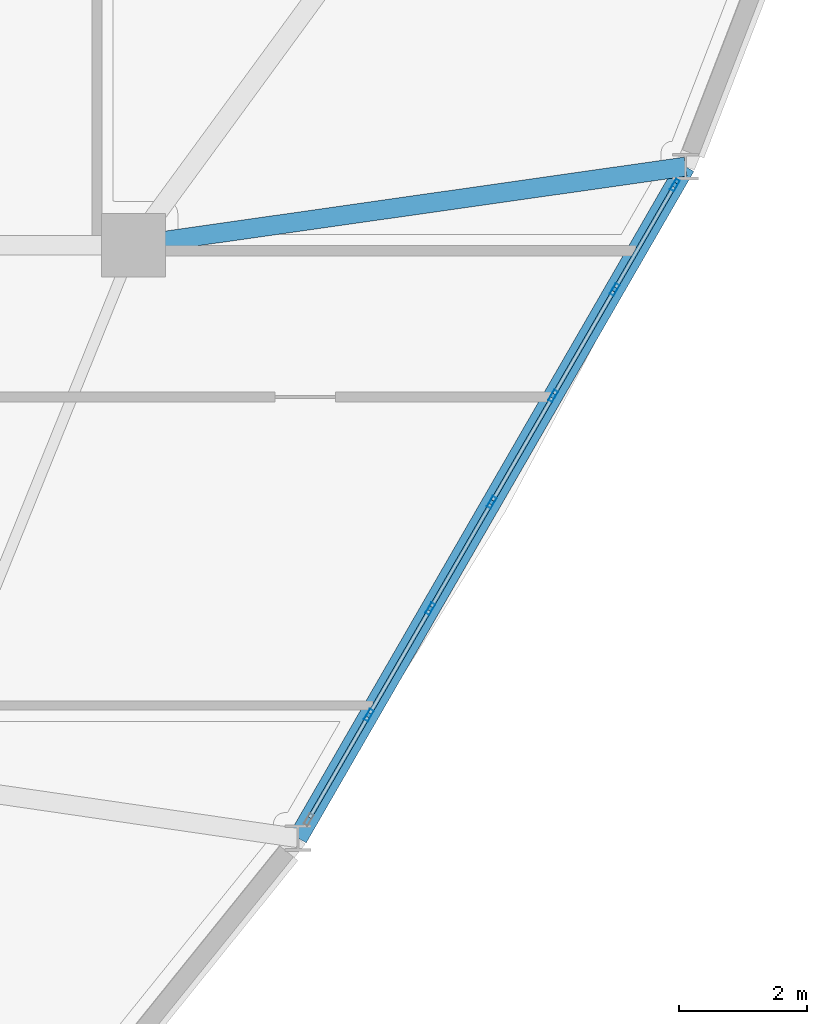
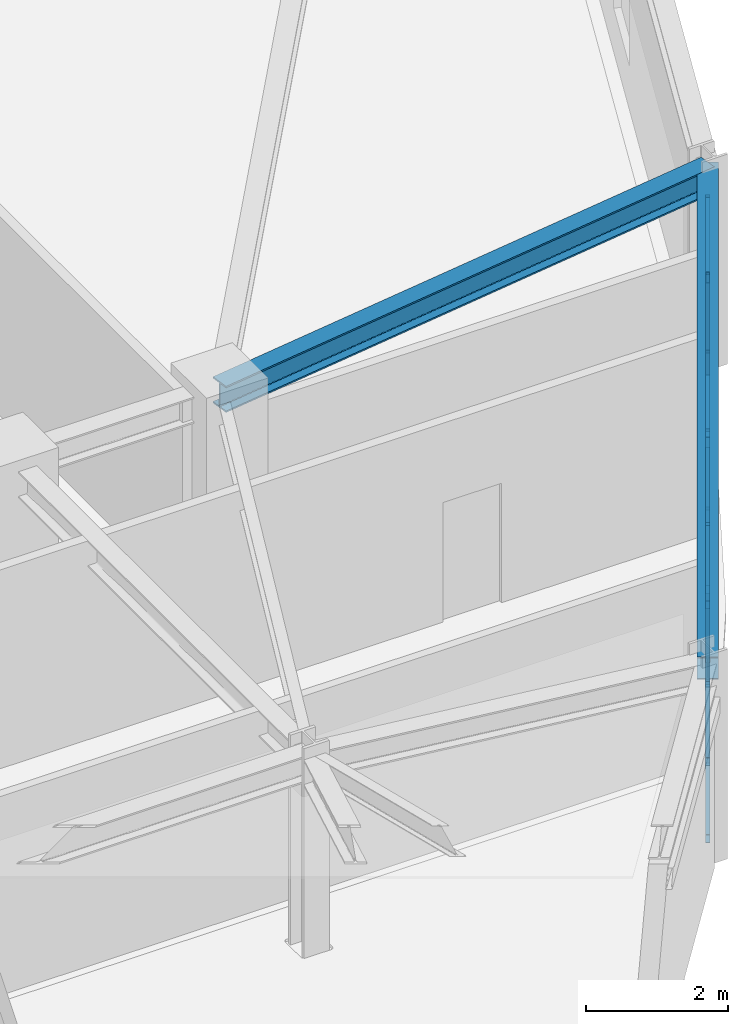
# One storey, part 7 of 16: 20 members, 2 beams, 1 element without a shape of its own.
"""IFC4 building model written with IfcOpenShell, lengths in metres."""

from ifc_helpers import new_model, si_unit, derived_unit, direction, frame, origin, origin_2d, place, context, subcontext, project, spatial, hollow_rectangle, i_section, extrude, source, transform, mapped, material, layer, layer_set, material_profile, profile_set, type_object, element, aggregate, save


model = new_model("IFC4")

# Units and contexts
model_context = context("Model", 3, precision=1e-05, world=origin(), true_north=direction((0.0, 1.0)))
body_context = subcontext(model_context, "Body", "Model", "MODEL_VIEW")
ifc_project = project(units=[si_unit("LENGTHUNIT", "METRE"), si_unit("AREAUNIT", "SQUARE_METRE"), si_unit("VOLUMEUNIT", "CUBIC_METRE"), si_unit("PLANEANGLEUNIT", "RADIAN"), si_unit("MASSUNIT", "GRAM", prefix="KILO"), derived_unit("THERMALTRANSMITTANCEUNIT", [(si_unit("POWERUNIT", "WATT"), 1), (si_unit("LENGTHUNIT", "METRE"), -2), (si_unit("THERMODYNAMICTEMPERATUREUNIT", "KELVIN"), -1)])], contexts=[model_context])

# Site, building, storey
site_placement = place(None, origin())
site = spatial("IfcSite", under=ifc_project, at=site_placement, CompositionType="ELEMENT")
building_placement = place(site_placement, origin())
building = spatial("IfcBuilding", under=site, at=building_placement, Name="Korsvarv Bourse and Concert Hall", CompositionType="ELEMENT")
storey_placement = place(building_placement, frame((0.0, 0.0, 231.0)))
storey = spatial("IfcBuildingStorey", under=building, at=storey_placement, Name="L60", CompositionType="ELEMENT", Elevation=231.0)

# Beams
ifc_material_1 = material(Name="Steel S355", Category="steel")
ifc_material_profile_1 = material_profile(ifc_material_1, i_section(OverallWidth=0.300048828125, OverallDepth=0.389892578125, WebThickness=0.010986328125, FlangeThickness=0.01904296875, FilletRadius=0.02099609375, at=origin_2d()), Name="HEA 400")
ifc_profile_set_1 = profile_set([ifc_material_profile_1], Name="Steel S355")
beam_type_1 = type_object("IfcBeamType", Name="BM-HEA400", PredefinedType="BEAM", material=ifc_profile_set_1)
shared_shape_1 = source(origin(), body_context, "Body", "SweptSolid", [
    extrude(i_section(OverallWidth=0.300048828125, OverallDepth=0.389892578125, WebThickness=0.010986328125, FlangeThickness=0.01904296875, FilletRadius=0.02099609375, at=origin_2d()), origin(), (0.0, 0.0, 1.0), 12.12353515625),
])
beam_1_placement = place(storey_placement, frame((50.368408203125, 23.1298828125, 3.215087890625), z_axis=(0.500000780442, 0.866024953196, 0.0), x_axis=(-0.866024953196, 0.500000780442, 0.0)))
element("IfcBeam", 1, at=beam_1_placement, inside=storey, type_object=beam_type_1, Name="L60 beam B-11", PredefinedType="BEAM", context=body_context, shape_type="MappedRepresentation", body=[
    mapped(shared_shape_1, transform((0.0, 0.0, 0.0), scale=1.0)),
])
ifc_material_profile_2 = material_profile(ifc_material_1, i_section(OverallWidth=0.300048828125, OverallDepth=0.449951171875, WebThickness=0.013916015625, FlangeThickness=0.02587890625, FilletRadius=0.02099609375, at=origin_2d()), Name="HEB 450")
ifc_profile_set_2 = profile_set([ifc_material_profile_2], Name="Steel S355")
beam_type_2 = type_object("IfcBeamType", Name="BM-HEB450", PredefinedType="SPANDREL", material=ifc_profile_set_2)
shared_shape_2 = source(origin(), body_context, "Body", "SweptSolid", [
    extrude(i_section(OverallWidth=0.300048828125, OverallDepth=0.449951171875, WebThickness=0.013916015625, FlangeThickness=0.02587890625, FilletRadius=0.02099609375, at=origin_2d()), origin(), (0.0, 0.0, 1.0), 8.71728515625),
])
beam_2_placement = place(storey_placement, frame((56.43017578125, 33.629150390625, 3.18505859375), z_axis=(-0.990007663543, -0.141013567171, 0.0), x_axis=(0.141013567171, -0.990007663543, 0.0)))
element("IfcBeam", 2, at=beam_2_placement, inside=storey, type_object=beam_type_2, Name="L60 beam B-08", PredefinedType="SPANDREL", context=body_context, shape_type="MappedRepresentation", body=[
    mapped(shared_shape_2, transform((0.0, 0.0, 0.0), scale=1.0)),
])

# Curtain wall, members
ifc_material_2 = material(Name="Anodised aluminium and triple low-E glazing", Category="glass")
ifc_layer = layer(ifc_material_2, 0.199951171875)
ifc_layer_set = layer_set([ifc_layer], Name="Anodised aluminium and triple low-E glazing")
curtain_wall_type = type_object("IfcCurtainWallType", Name="CW-SYS-3", PredefinedType="NOTDEFINED", material=ifc_layer_set)
curtain_wall_placement = place(storey_placement, origin())
curtain_wall = element("IfcCurtainWall", 3, at=curtain_wall_placement, inside=storey, type_object=curtain_wall_type, Name="L60 CW3 curtain wall CW-L60-F11", PredefinedType="NOTDEFINED")
ifc_material_3 = material(Name="Extruded aluminium EN AW-6063 T66", Category="aluminium")
ifc_material_profile_3 = material_profile(ifc_material_3, hollow_rectangle(XDim=0.070068359375, YDim=0.18994140625, WallThickness=0.0048828125, at=origin_2d()), Name="ALU-M 70x190")
ifc_profile_set_3 = profile_set([ifc_material_profile_3], Name="Extruded aluminium EN AW-6063 T66")
member_type_1 = type_object("IfcMemberType", Name="CWM-190", PredefinedType="MULLION", material=ifc_profile_set_3)
shared_shape_3 = source(origin(), body_context, "Body", "SweptSolid", [
    extrude(hollow_rectangle(XDim=0.070068359375, YDim=0.18994140625, WallThickness=0.0048828125, at=origin_2d()), origin(), (0.0, 0.0, 1.0), 3.02001953125),
])
member_1_placement = place(storey_placement, frame((51.47802734375, 25.0517578125, 0.0), z_axis=(0.0, 0.0, 1.0), x_axis=(-0.86602769294, 0.499996035044, 0.0)))
member_1 = element("IfcMember", 4, at=member_1_placement, type_object=member_type_1, Name="CW3 mullion 2", PredefinedType="MULLION", context=body_context, shape_type="MappedRepresentation", body=[
    mapped(shared_shape_3, transform((0.0, 0.0, 0.0), scale=1.0)),
])
member_2_placement = place(storey_placement, frame((52.4384765625, 26.715576171875, 0.0), z_axis=(0.0, 0.0, 1.0), x_axis=(-0.86602769294, 0.499996035044, 0.0)))
member_2 = element("IfcMember", 5, at=member_2_placement, type_object=member_type_1, Name="CW3 mullion 3", PredefinedType="MULLION", context=body_context, shape_type="MappedRepresentation", body=[
    mapped(shared_shape_3, transform((0.0, 0.0, 0.0), scale=1.0)),
])
member_3_placement = place(storey_placement, frame((53.399169921875, 28.37939453125, 0.0), z_axis=(0.0, 0.0, 1.0), x_axis=(-0.86602769294, 0.499996035044, 0.0)))
member_3 = element("IfcMember", 6, at=member_3_placement, type_object=member_type_1, Name="CW3 mullion 4", PredefinedType="MULLION", context=body_context, shape_type="MappedRepresentation", body=[
    mapped(shared_shape_3, transform((0.0, 0.0, 0.0), scale=1.0)),
])
member_4_placement = place(storey_placement, frame((54.35986328125, 30.043212890625, 0.0), z_axis=(0.0, 0.0, 1.0), x_axis=(-0.86602769294, 0.499996035044, 0.0)))
member_4 = element("IfcMember", 7, at=member_4_placement, type_object=member_type_1, Name="CW3 mullion 5", PredefinedType="MULLION", context=body_context, shape_type="MappedRepresentation", body=[
    mapped(shared_shape_3, transform((0.0, 0.0, 0.0), scale=1.0)),
])
member_5_placement = place(storey_placement, frame((55.320556640625, 31.707275390625, 0.0), z_axis=(0.0, 0.0, 1.0), x_axis=(-0.86602769294, 0.499996035044, 0.0)))
member_5 = element("IfcMember", 8, at=member_5_placement, type_object=member_type_1, Name="CW3 mullion 6", PredefinedType="MULLION", context=body_context, shape_type="MappedRepresentation", body=[
    mapped(shared_shape_3, transform((0.0, 0.0, 0.0), scale=1.0)),
])
member_6_placement = place(storey_placement, frame((56.263671875, 33.3408203125, 0.0), z_axis=(0.0, 0.0, 1.0), x_axis=(-0.86602769294, 0.499996035044, 0.0)))
member_6 = element("IfcMember", 9, at=member_6_placement, type_object=member_type_1, Name="CW3 mullion 7", PredefinedType="MULLION", context=body_context, shape_type="MappedRepresentation", body=[
    mapped(shared_shape_3, transform((0.0, 0.0, 0.0), scale=1.0)),
])
ifc_material_profile_4 = material_profile(ifc_material_3, hollow_rectangle(XDim=0.06494140625, YDim=0.139892578125, WallThickness=0.00390625, at=origin_2d()), Name="ALU-T 65x140")
ifc_profile_set_4 = profile_set([ifc_material_profile_4], Name="Extruded aluminium EN AW-6063 T66")
member_type_2 = type_object("IfcMemberType", Name="CWT-140", PredefinedType="USERDEFINED", material=ifc_profile_set_4)
shared_shape_4 = source(origin(), body_context, "Body", "SweptSolid", [
    extrude(hollow_rectangle(XDim=0.06494140625, YDim=0.139892578125, WallThickness=0.00390625, at=origin_2d()), origin(), (0.0, 0.0, 1.0), 1.81640625),
])
member_7_placement = place(storey_placement, frame((50.55224609375, 23.448486328125, 0.032470703125), z_axis=(0.500013328483, 0.866017708445, 0.0), x_axis=(-0.866017708445, 0.500013328483, 0.0)))
member_7 = element("IfcMember", 10, at=member_7_placement, type_object=member_type_2, Name="CW3 transom 1.1", ObjectType="TRANSOM", PredefinedType="USERDEFINED", context=body_context, shape_type="MappedRepresentation", body=[
    mapped(shared_shape_4, transform((0.0, 0.0, 0.0), scale=1.0)),
])
member_8_placement = place(storey_placement, frame((50.55224609375, 23.448486328125, 2.987548828125), z_axis=(0.500013328483, 0.866017708445, 0.0), x_axis=(-0.866017708445, 0.500013328483, 0.0)))
member_8 = element("IfcMember", 11, at=member_8_placement, type_object=member_type_2, Name="CW3 transom 1.2", ObjectType="TRANSOM", PredefinedType="USERDEFINED", context=body_context, shape_type="MappedRepresentation", body=[
    mapped(shared_shape_4, transform((0.0, 0.0, 0.0), scale=1.0)),
])
member_9_placement = place(storey_placement, frame((55.337890625, 31.737548828125, 0.032470703125), z_axis=(0.500013328483, 0.866017708445, 0.0), x_axis=(-0.866017708445, 0.500013328483, 0.0)))
member_9 = element("IfcMember", 12, at=member_9_placement, type_object=member_type_2, Name="CW3 transom 6.1", ObjectType="TRANSOM", PredefinedType="USERDEFINED", context=body_context, shape_type="MappedRepresentation", body=[
    mapped(shared_shape_4, transform((0.0, 0.0, 0.0), scale=1.0)),
])
member_10_placement = place(storey_placement, frame((55.337890625, 31.737548828125, 2.987548828125), z_axis=(0.500013328483, 0.866017708445, 0.0), x_axis=(-0.866017708445, 0.500013328483, 0.0)))
member_10 = element("IfcMember", 13, at=member_10_placement, type_object=member_type_2, Name="CW3 transom 6.2", ObjectType="TRANSOM", PredefinedType="USERDEFINED", context=body_context, shape_type="MappedRepresentation", body=[
    mapped(shared_shape_4, transform((0.0, 0.0, 0.0), scale=1.0)),
])
shared_shape_5 = source(origin(), body_context, "Body", "SweptSolid", [
    extrude(hollow_rectangle(XDim=0.06494140625, YDim=0.139892578125, WallThickness=0.00390625, at=origin_2d()), origin(), (0.0, 0.0, 1.0), 1.851318359375),
])
member_11_placement = place(storey_placement, frame((51.495361328125, 25.08203125, 0.032470703125), z_axis=(0.500053484023, 0.865994522568, 0.0), x_axis=(-0.865994522568, 0.500053484023, 0.0)))
member_11 = element("IfcMember", 14, at=member_11_placement, type_object=member_type_2, Name="CW3 transom 2.1", ObjectType="TRANSOM", PredefinedType="USERDEFINED", context=body_context, shape_type="MappedRepresentation", body=[
    mapped(shared_shape_5, transform((0.0, 0.0, 0.0), scale=1.0)),
])
member_12_placement = place(storey_placement, frame((51.495361328125, 25.08203125, 2.987548828125), z_axis=(0.500053484023, 0.865994522568, 0.0), x_axis=(-0.865994522568, 0.500053484023, 0.0)))
member_12 = element("IfcMember", 15, at=member_12_placement, type_object=member_type_2, Name="CW3 transom 2.2", ObjectType="TRANSOM", PredefinedType="USERDEFINED", context=body_context, shape_type="MappedRepresentation", body=[
    mapped(shared_shape_5, transform((0.0, 0.0, 0.0), scale=1.0)),
])
member_13_placement = place(storey_placement, frame((52.4560546875, 26.745849609375, 0.032470703125), z_axis=(0.49995457831, 0.866051626421, 0.0), x_axis=(-0.866051626421, 0.49995457831, 0.0)))
member_13 = element("IfcMember", 16, at=member_13_placement, type_object=member_type_2, Name="CW3 transom 3.1", ObjectType="TRANSOM", PredefinedType="USERDEFINED", context=body_context, shape_type="MappedRepresentation", body=[
    mapped(shared_shape_5, transform((0.0, 0.0, 0.0), scale=1.0)),
])
member_14_placement = place(storey_placement, frame((52.4560546875, 26.745849609375, 2.987548828125), z_axis=(0.49995457831, 0.866051626421, 0.0), x_axis=(-0.866051626421, 0.49995457831, 0.0)))
member_14 = element("IfcMember", 17, at=member_14_placement, type_object=member_type_2, Name="CW3 transom 3.2", ObjectType="TRANSOM", PredefinedType="USERDEFINED", context=body_context, shape_type="MappedRepresentation", body=[
    mapped(shared_shape_5, transform((0.0, 0.0, 0.0), scale=1.0)),
])
member_15_placement = place(storey_placement, frame((53.416748046875, 28.40966796875, 0.032470703125), z_axis=(0.49995457831, 0.866051626421, 0.0), x_axis=(-0.866051626421, 0.49995457831, 0.0)))
member_15 = element("IfcMember", 18, at=member_15_placement, type_object=member_type_2, Name="CW3 transom 4.1", ObjectType="TRANSOM", PredefinedType="USERDEFINED", context=body_context, shape_type="MappedRepresentation", body=[
    mapped(shared_shape_5, transform((0.0, 0.0, 0.0), scale=1.0)),
])
member_16_placement = place(storey_placement, frame((53.416748046875, 28.40966796875, 2.987548828125), z_axis=(0.49995457831, 0.866051626421, 0.0), x_axis=(-0.866051626421, 0.49995457831, 0.0)))
member_16 = element("IfcMember", 19, at=member_16_placement, type_object=member_type_2, Name="CW3 transom 4.2", ObjectType="TRANSOM", PredefinedType="USERDEFINED", context=body_context, shape_type="MappedRepresentation", body=[
    mapped(shared_shape_5, transform((0.0, 0.0, 0.0), scale=1.0)),
])
member_17_placement = place(storey_placement, frame((54.37744140625, 30.07373046875, 0.032470703125), z_axis=(0.49995457831, 0.866051626421, 0.0), x_axis=(-0.866051626421, 0.49995457831, 0.0)))
member_17 = element("IfcMember", 20, at=member_17_placement, type_object=member_type_2, Name="CW3 transom 5.1", ObjectType="TRANSOM", PredefinedType="USERDEFINED", context=body_context, shape_type="MappedRepresentation", body=[
    mapped(shared_shape_5, transform((0.0, 0.0, 0.0), scale=1.0)),
])
member_18_placement = place(storey_placement, frame((54.37744140625, 30.07373046875, 2.987548828125), z_axis=(0.49995457831, 0.866051626421, 0.0), x_axis=(-0.866051626421, 0.49995457831, 0.0)))
member_18 = element("IfcMember", 21, at=member_18_placement, type_object=member_type_2, Name="CW3 transom 5.2", ObjectType="TRANSOM", PredefinedType="USERDEFINED", context=body_context, shape_type="MappedRepresentation", body=[
    mapped(shared_shape_5, transform((0.0, 0.0, 0.0), scale=1.0)),
])
ifc_material_profile_5 = material_profile(ifc_material_3, hollow_rectangle(XDim=0.06494140625, YDim=0.1650390625, WallThickness=0.0048828125, at=origin_2d()), Name="ALU-M 65x165")
ifc_profile_set_5 = profile_set([ifc_material_profile_5], Name="Extruded aluminium EN AW-6063 T66")
member_type_3 = type_object("IfcMemberType", Name="CWM-165", PredefinedType="MULLION", material=ifc_profile_set_5)
shared_shape_6 = source(origin(), body_context, "Body", "SweptSolid", [
    extrude(hollow_rectangle(XDim=0.06494140625, YDim=0.1650390625, WallThickness=0.0048828125, at=origin_2d()), origin(), (0.0, 0.0, 1.0), 3.43212890625),
])
member_19_placement = place(storey_placement, frame((52.4560546875, 26.745849609375, 0.06494140625), z_axis=(0.269663024081, 0.467126636544, 0.842065649979), x_axis=(-0.866051626421, 0.49995457831, 0.0)))
member_19 = element("IfcMember", 22, at=member_19_placement, type_object=member_type_3, Name="CW3 diagonal mullion 3", PredefinedType="MULLION", context=body_context, shape_type="MappedRepresentation", body=[
    mapped(shared_shape_6, transform((0.0, 0.0, 0.0), scale=1.0)),
])
shared_shape_7 = source(origin(), body_context, "Body", "SweptSolid", [
    extrude(hollow_rectangle(XDim=0.06494140625, YDim=0.1650390625, WallThickness=0.0048828125, at=origin_2d()), origin(), (0.0, 0.0, 1.0), 3.41357421875),
])
member_20_placement = place(storey_placement, frame((56.24609375, 33.310546875, 0.06494140625), z_axis=(-0.266061414846, -0.460815509637, 0.846676083049), x_axis=(0.866017708445, -0.500013328483, 0.0)))
member_20 = element("IfcMember", 23, at=member_20_placement, type_object=member_type_3, Name="CW3 diagonal mullion 6", PredefinedType="MULLION", context=body_context, shape_type="MappedRepresentation", body=[
    mapped(shared_shape_7, transform((0.0, 0.0, 0.0), scale=1.0)),
])
aggregate(curtain_wall, [member_1, member_2, member_3, member_4, member_5, member_6, member_7, member_8, member_11, member_12, member_13, member_14, member_19, member_15, member_16, member_17, member_18, member_9, member_10, member_20])

save(model, "model.ifc")
